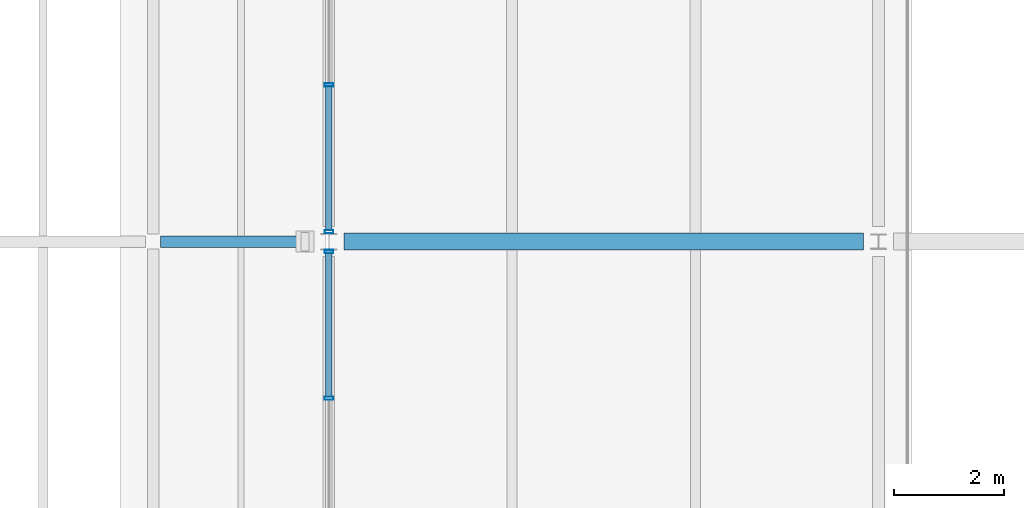
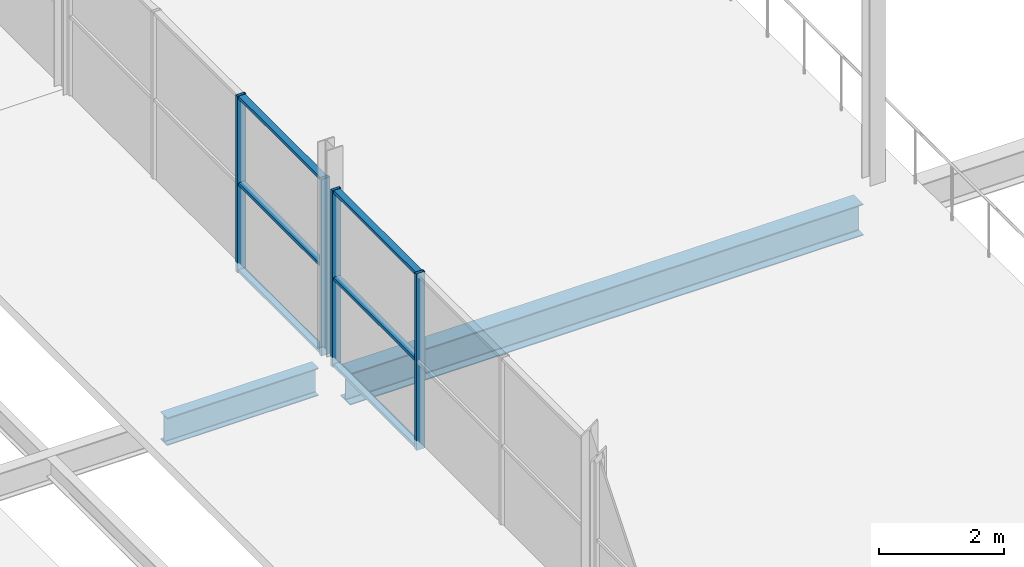
# One storey, part 99 of 161: 10 members, 2 beams, 2 elements without a shape of their own.
"""IFC4 building model written with IfcOpenShell, lengths in metres."""

from ifc_helpers import new_model, si_unit, direction, frame, origin, origin_2d, place, context, subcontext, project, spatial, hollow_rectangle, i_section, extrude, material, material_profile, profile_set, type_object, element, aggregate, save


model = new_model("IFC4")

# Units and contexts
model_context = context("Model", 3, precision=1e-05, world=origin(), true_north=direction((0.0, 1.0)))
body_context = subcontext(model_context, "Body", "Model", "MODEL_VIEW")
ifc_project = project(units=[si_unit("LENGTHUNIT", "METRE"), si_unit("AREAUNIT", "SQUARE_METRE"), si_unit("VOLUMEUNIT", "CUBIC_METRE"), si_unit("PLANEANGLEUNIT", "RADIAN"), si_unit("MASSUNIT", "GRAM", prefix="KILO"), si_unit("THERMODYNAMICTEMPERATUREUNIT", "KELVIN")], contexts=[model_context])

# Site, building, storey
site_placement = place(None, origin())
site = spatial("IfcSite", under=ifc_project, at=site_placement, CompositionType="ELEMENT")
building_placement = place(site_placement, origin())
building = spatial("IfcBuilding", under=site, at=building_placement, Name="Nduvali Passage Aquatics Centre", CompositionType="ELEMENT")
storey_placement = place(building_placement, frame((0.0, 0.0, 4.800048828125)))
storey = spatial("IfcBuildingStorey", under=building, at=storey_placement, Name="L01", CompositionType="ELEMENT", Elevation=4.800048828125)

# Curtain wall, members
ifc_material_1 = material(Name="Aluminium EN AW-6063 T6", Category="aluminium")
curtain_wall_type = type_object("IfcCurtainWallType", Name="ENV-CW-FOYR", PredefinedType="NOTDEFINED", material=ifc_material_1)
curtain_wall_1_placement = place(storey_placement, origin())
curtain_wall_1 = element("IfcCurtainWall", 1, at=curtain_wall_1_placement, inside=storey, type_object=curtain_wall_type, Name="L01 Passage Foyer Upper CW 072", PredefinedType="NOTDEFINED")
ifc_material_profile_1 = material_profile(ifc_material_1, hollow_rectangle(XDim=0.06005859375, YDim=0.159912109375, WallThickness=0.00390625, at=origin_2d()), Name="ALU MULLION 60x160x4")
ifc_profile_set_1 = profile_set([ifc_material_profile_1], Name="Aluminium EN AW-6063 T6")
member_type_1 = type_object("IfcMemberType", Name="ENV-MEM-MUL60", PredefinedType="MULLION", material=ifc_profile_set_1)
member_1_placement = place(storey_placement, frame((138.0, 47.550048828125, 0.0), z_axis=(0.0, 0.0, 1.0), x_axis=(0.0, 1.0, 0.0)))
member_1 = element("IfcMember", 2, at=member_1_placement, type_object=member_type_1, Name="Passage Foyer Upper CW Mullion 3", PredefinedType="MULLION", context=body_context, shape_type="SweptSolid", body=[
    extrude(hollow_rectangle(XDim=0.06005859375, YDim=0.159912109375, WallThickness=0.00390625, at=origin_2d()), origin(), (0.0, 0.0, 1.0), 3.436279296875),
])
member_2_placement = place(storey_placement, frame((138.0, 50.219970703125, 0.0), z_axis=(0.0, 0.0, 1.0), x_axis=(0.0, 1.0, 0.0)))
member_2 = element("IfcMember", 3, at=member_2_placement, type_object=member_type_1, Name="Passage Foyer Upper CW Mullion 4", PredefinedType="MULLION", context=body_context, shape_type="SweptSolid", body=[
    extrude(hollow_rectangle(XDim=0.06005859375, YDim=0.159912109375, WallThickness=0.00390625, at=origin_2d()), origin(), (0.0, 0.0, 1.0), 3.436279296875),
])

curtain_wall_2_placement = place(storey_placement, origin())
curtain_wall_2 = element("IfcCurtainWall", 4, at=curtain_wall_2_placement, inside=storey, type_object=curtain_wall_type, Name="L01 Passage Foyer Upper CW 073", PredefinedType="NOTDEFINED")
member_3_placement = place(storey_placement, frame((138.0, 50.580078125, 0.0), z_axis=(0.0, 0.0, 1.0), x_axis=(0.0, 1.0, 0.0)))
member_3 = element("IfcMember", 5, at=member_3_placement, type_object=member_type_1, Name="Passage Foyer Upper CW Mullion 1", PredefinedType="MULLION", context=body_context, shape_type="SweptSolid", body=[
    extrude(hollow_rectangle(XDim=0.06005859375, YDim=0.159912109375, WallThickness=0.00390625, at=origin_2d()), origin(), (0.0, 0.0, 1.0), 3.436279296875),
])
member_4_placement = place(storey_placement, frame((138.0, 53.25, 0.0), z_axis=(0.0, 0.0, 1.0), x_axis=(0.0, 1.0, 0.0)))
member_4 = element("IfcMember", 6, at=member_4_placement, type_object=member_type_1, Name="Passage Foyer Upper CW Mullion 2", PredefinedType="MULLION", context=body_context, shape_type="SweptSolid", body=[
    extrude(hollow_rectangle(XDim=0.06005859375, YDim=0.159912109375, WallThickness=0.00390625, at=origin_2d()), origin(), (0.0, 0.0, 1.0), 3.436279296875),
])

# Member
ifc_material_profile_2 = material_profile(ifc_material_1, hollow_rectangle(XDim=0.1201171875, YDim=0.06005859375, WallThickness=0.00390625, at=origin_2d()), Name="ALU TRANSOM 120x60x4")
ifc_profile_set_2 = profile_set([ifc_material_profile_2], Name="Aluminium EN AW-6063 T6")
member_type_2 = type_object("IfcMemberType", Name="ENV-MEM-TRN60", PredefinedType="USERDEFINED", material=ifc_profile_set_2)
member_5_placement = place(storey_placement, frame((138.0, 47.580078125, 0.030029296875), z_axis=(0.0, 1.0, 0.0), x_axis=(-1.0, 0.0, 0.0)))
member_5 = element("IfcMember", 7, at=member_5_placement, type_object=member_type_2, Name="Passage Foyer Upper CW Transom B3-R0", ObjectType="TRANSOM", PredefinedType="USERDEFINED", context=body_context, shape_type="SweptSolid", body=[
    extrude(hollow_rectangle(XDim=0.1201171875, YDim=0.06005859375, WallThickness=0.00390625, at=origin_2d()), origin(), (0.0, 0.0, 1.0), 2.60986328125),
])

member_6_placement = place(storey_placement, frame((138.0, 47.580078125, 1.71826171875), z_axis=(0.0, 1.0, 0.0), x_axis=(-1.0, 0.0, 0.0)))
member_6 = element("IfcMember", 8, at=member_6_placement, type_object=member_type_2, Name="Passage Foyer Upper CW Transom B3-R1", ObjectType="TRANSOM", PredefinedType="USERDEFINED", context=body_context, shape_type="SweptSolid", body=[
    extrude(hollow_rectangle(XDim=0.1201171875, YDim=0.06005859375, WallThickness=0.00390625, at=origin_2d()), origin(), (0.0, 0.0, 1.0), 2.60986328125),
])

member_7_placement = place(storey_placement, frame((138.0, 47.580078125, 3.40625), z_axis=(0.0, 1.0, 0.0), x_axis=(-1.0, 0.0, 0.0)))
member_7 = element("IfcMember", 9, at=member_7_placement, type_object=member_type_2, Name="Passage Foyer Upper CW Transom B3-R2", ObjectType="TRANSOM", PredefinedType="USERDEFINED", context=body_context, shape_type="SweptSolid", body=[
    extrude(hollow_rectangle(XDim=0.1201171875, YDim=0.06005859375, WallThickness=0.00390625, at=origin_2d()), origin(), (0.0, 0.0, 1.0), 2.60986328125),
])

aggregate(curtain_wall_1, [member_1, member_2, member_5, member_6, member_7])

member_8_placement = place(storey_placement, frame((138.0, 50.610107421875, 0.030029296875), z_axis=(0.0, 1.0, 0.0), x_axis=(-1.0, 0.0, 0.0)))
member_8 = element("IfcMember", 10, at=member_8_placement, type_object=member_type_2, Name="Passage Foyer Upper CW Transom B1-R0", ObjectType="TRANSOM", PredefinedType="USERDEFINED", context=body_context, shape_type="SweptSolid", body=[
    extrude(hollow_rectangle(XDim=0.1201171875, YDim=0.06005859375, WallThickness=0.00390625, at=origin_2d()), origin(), (0.0, 0.0, 1.0), 2.60986328125),
])

member_9_placement = place(storey_placement, frame((138.0, 50.610107421875, 1.71826171875), z_axis=(0.0, 1.0, 0.0), x_axis=(-1.0, 0.0, 0.0)))
member_9 = element("IfcMember", 11, at=member_9_placement, type_object=member_type_2, Name="Passage Foyer Upper CW Transom B1-R1", ObjectType="TRANSOM", PredefinedType="USERDEFINED", context=body_context, shape_type="SweptSolid", body=[
    extrude(hollow_rectangle(XDim=0.1201171875, YDim=0.06005859375, WallThickness=0.00390625, at=origin_2d()), origin(), (0.0, 0.0, 1.0), 2.60986328125),
])

member_10_placement = place(storey_placement, frame((138.0, 50.610107421875, 3.40625), z_axis=(0.0, 1.0, 0.0), x_axis=(-1.0, 0.0, 0.0)))
member_10 = element("IfcMember", 12, at=member_10_placement, type_object=member_type_2, Name="Passage Foyer Upper CW Transom B1-R2", ObjectType="TRANSOM", PredefinedType="USERDEFINED", context=body_context, shape_type="SweptSolid", body=[
    extrude(hollow_rectangle(XDim=0.1201171875, YDim=0.06005859375, WallThickness=0.00390625, at=origin_2d()), origin(), (0.0, 0.0, 1.0), 2.60986328125),
])

aggregate(curtain_wall_2, [member_3, member_4, member_8, member_9, member_10])

# Beams
ifc_material_2 = material(Name="Steel S355", Category="steel")
ifc_material_profile_3 = material_profile(ifc_material_2, i_section(OverallWidth=0.210693359375, OverallDepth=0.53955078125, WebThickness=0.01171875, FlangeThickness=0.018798828125, FilletRadius=0.0126953125, at=origin_2d()), Name="UKB 533x210x109")
ifc_profile_set_3 = profile_set([ifc_material_profile_3], Name="Steel S355")
beam_type_1 = type_object("IfcBeamType", Name="STR-BM-UKB533", PredefinedType="BEAM", material=ifc_profile_set_3)
beam_1_placement = place(storey_placement, frame((134.9365234375, 50.39990234375, -0.273681640625), z_axis=(1.0, 0.0, 0.0), x_axis=(0.0, 1.0, 0.0)))
element("IfcBeam", 13, at=beam_1_placement, inside=storey, type_object=beam_type_1, Name="L01 Primary X-Girder B6-0483", PredefinedType="BEAM", context=body_context, shape_type="SweptSolid", body=[
    extrude(i_section(OverallWidth=0.210693359375, OverallDepth=0.53955078125, WebThickness=0.01171875, FlangeThickness=0.018798828125, FilletRadius=0.0126953125, at=origin_2d()), origin(), (0.0, 0.0, 1.0), 2.78857421875),
])
ifc_material_profile_4 = material_profile(ifc_material_2, i_section(OverallWidth=0.3046875, OverallDepth=0.6123046875, WebThickness=0.01171875, FlangeThickness=0.019775390625, FilletRadius=0.0166015625, at=origin_2d()), Name="UKB 610x305x149")
ifc_profile_set_4 = profile_set([ifc_material_profile_4], Name="Steel S355")
beam_type_2 = type_object("IfcBeamType", Name="STR-BM-UKB610W", PredefinedType="BEAM", material=ifc_profile_set_4)
beam_2_placement = place(storey_placement, frame((138.27490234375, 50.39990234375, -0.59033203125), z_axis=(1.0, 0.0, 0.0), x_axis=(0.0, 1.0, 0.0)))
element("IfcBeam", 14, at=beam_2_placement, inside=storey, type_object=beam_type_2, Name="L01 Primary X-Girder B5A-0484", PredefinedType="BEAM", context=body_context, shape_type="SweptSolid", body=[
    extrude(i_section(OverallWidth=0.3046875, OverallDepth=0.6123046875, WebThickness=0.01171875, FlangeThickness=0.019775390625, FilletRadius=0.0166015625, at=origin_2d()), origin(), (0.0, 0.0, 1.0), 9.4501953125),
])

save(model, "model.ifc")
